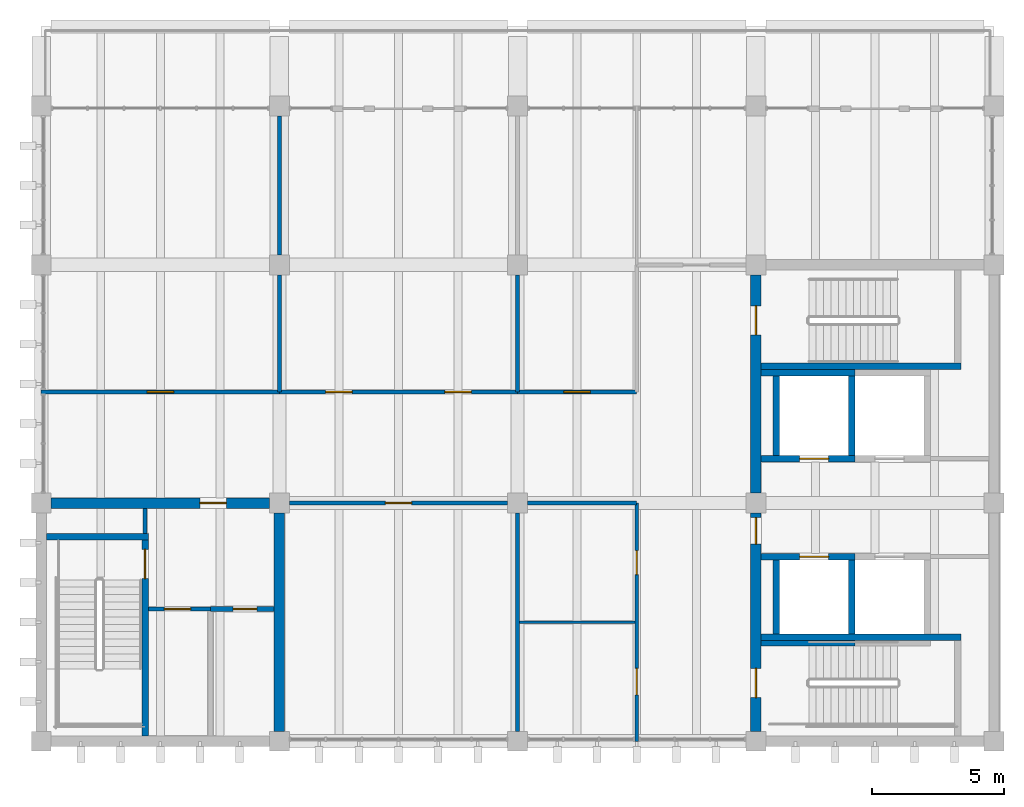
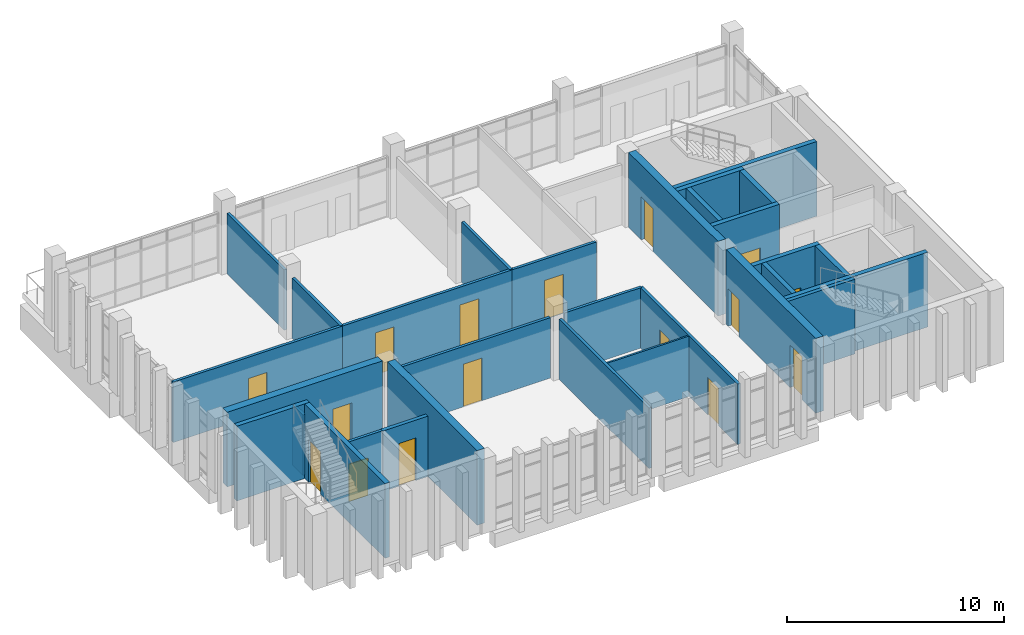
# One storey, part 9 of 15: 30 walls, 16 doors, 16 openings.
"""IFC4 building model written with IfcOpenShell, lengths in metres."""

from ifc_helpers import new_model, si_unit, direction, frame, frame_2d, origin, place, context, subcontext, project, spatial, rectangle, extrude, material, layer, layer_set, type_object, element, fill, save


model = new_model("IFC4")

# Units and contexts
model_context = context("Model", 3, precision=1e-05, world=origin(), true_north=direction((0.0, 1.0)))
body_context = subcontext(model_context, "Body", "Model", "MODEL_VIEW")
ifc_project = project(units=[si_unit("LENGTHUNIT", "METRE"), si_unit("AREAUNIT", "SQUARE_METRE"), si_unit("VOLUMEUNIT", "CUBIC_METRE"), si_unit("PLANEANGLEUNIT", "RADIAN"), si_unit("MASSUNIT", "GRAM", prefix="KILO")], contexts=[model_context])

# Site, building, storey
site_placement = place(None, origin())
site = spatial("IfcSite", under=ifc_project, at=site_placement, CompositionType="ELEMENT")
building_placement = place(site_placement, origin())
building = spatial("IfcBuilding", under=site, at=building_placement, Name="Merrow Basin Faculty of Sciences", CompositionType="ELEMENT")
storey_placement = place(building_placement, frame((0.0, 0.0, 31.5)))
storey = spatial("IfcBuildingStorey", under=building, at=storey_placement, Name="L07", CompositionType="ELEMENT", Elevation=31.5)

# Wall
ifc_material_1 = material(Name="Fire-rated gypsum board")
ifc_layer_1 = layer(ifc_material_1, 0.14990234375)
ifc_layer_set_1 = layer_set([ifc_layer_1], Name="Corridor partition 150 fire-rated board on steel studs")
wall_type_1 = type_object("IfcWallType", Name="Corridor partition 150 fire-rated board on steel studs", PredefinedType="PARTITIONING", material=ifc_layer_set_1)
wall_1_placement = place(storey_placement, frame((21.925048828125, 149.85009765625, 0.0), z_axis=(0.0, 0.0, 1.0), x_axis=(0.0, 1.0, 0.0)))
element("IfcWall", 1, at=wall_1_placement, inside=storey, type_object=wall_type_1, Name="IW151 L07 003", PredefinedType="PARTITIONING", context=body_context, shape_type="SweptSolid", body=[
    extrude(rectangle(XDim=0.949951171875, YDim=0.14990234375, at=frame_2d((0.47509765625, 0.0))), origin(), (0.0, 0.0, 1.0), 3.39990234375),
])

# Wall, openings, doors
wall_2_placement = place(storey_placement, frame((40.5, 142.0, 0.0), z_axis=(0.0, 0.0, 1.0), x_axis=(0.0, 1.0, 0.0)))
wall_2 = element("IfcWall", 2, at=wall_2_placement, inside=storey, type_object=wall_type_1, Name="IW151 L07 004", PredefinedType="PARTITIONING", context=body_context, shape_type="SweptSolid", body=[
    extrude(rectangle(XDim=9.0, YDim=0.14990234375, at=frame_2d((4.5, 0.0))), origin(), (0.0, 0.0, 1.0), 3.39990234375),
])
opening_1_placement = place(wall_2_placement, frame((1.75, 0.0, 0.0)))
opening_1 = element("IfcOpeningElement", 3, at=opening_1_placement, cuts=wall_2, Name="Opening D07T008", PredefinedType="OPENING", context=body_context, shape_type="SweptSolid", body=[
    extrude(rectangle(XDim=1.0, YDim=2.10009765625, at=frame_2d((0.5, 1.050048828125))), frame((0.0, 0.0849609375, 0.0), z_axis=(0.0, -1.0, 0.0), x_axis=(1.0, 0.0, 0.0)), (0.0, 0.0, 1.0), 0.169921875),
])
opening_2_placement = place(wall_2_placement, frame((6.300048828125, 0.0, 0.0)))
opening_2 = element("IfcOpeningElement", 4, at=opening_2_placement, cuts=wall_2, Name="Opening D07T009", PredefinedType="OPENING", context=body_context, shape_type="SweptSolid", body=[
    extrude(rectangle(XDim=0.89990234375, YDim=2.10009765625, at=frame_2d((0.449951171875, 1.050048828125))), frame((0.0, 0.0849609375, 0.0), z_axis=(0.0, -1.0, 0.0), x_axis=(1.0, 0.0, 0.0)), (0.0, 0.0, 1.0), 0.169921875),
])
ifc_material_2 = material(Name="Timber door leaf", Category="wood")
door_type_1 = type_object("IfcDoorType", Name="Accessible door 1000 x 2100", OperationType="NOTDEFINED", PredefinedType="DOOR", material=ifc_material_2)
door_1_placement = place(opening_1_placement, origin())
door_1 = element("IfcDoor", 5, at=door_1_placement, inside=storey, type_object=door_type_1, Name="Door D07T008", OperationType="SINGLE_SWING_LEFT", OverallHeight=2.10009765625, OverallWidth=1.0, PredefinedType="DOOR", context=body_context, shape_type="SweptSolid", body=[
    extrude(rectangle(XDim=1.0, YDim=2.10009765625, at=frame_2d((0.5, 1.050048828125))), frame((0.0, 0.02490234375, 0.0), z_axis=(0.0, -1.0, 0.0), x_axis=(1.0, 0.0, 0.0)), (0.0, 0.0, 1.0), 0.050048828125),
])
fill(opening_1, door_1)
ifc_material_3 = material(Name="Timber door leaf", Category="wood")
door_type_2 = type_object("IfcDoorType", Name="Single swing door 900 x 2100", OperationType="NOTDEFINED", PredefinedType="DOOR", material=ifc_material_3)
door_2_placement = place(opening_2_placement, origin())
door_2 = element("IfcDoor", 6, at=door_2_placement, inside=storey, type_object=door_type_2, Name="Door D07T009", OperationType="SINGLE_SWING_LEFT", OverallHeight=2.10009765625, OverallWidth=0.89990234375, PredefinedType="DOOR", context=body_context, shape_type="SweptSolid", body=[
    extrude(rectangle(XDim=0.89990234375, YDim=2.10009765625, at=frame_2d((0.449951171875, 1.050048828125))), frame((0.0, 0.02490234375, 0.0), z_axis=(0.0, -1.0, 0.0), x_axis=(1.0, 0.0, 0.0)), (0.0, 0.0, 1.0), 0.050048828125),
])
fill(opening_2, door_2)

# Wall, opening, door
wall_3_placement = place(storey_placement, frame((22.050048828125, 147.0, 0.0), z_axis=(0.0, 0.0, 1.0), x_axis=(1.0, 0.0, 0.0)))
wall_3 = element("IfcWall", 7, at=wall_3_placement, inside=storey, type_object=wall_type_1, Name="IW151 L07 006", PredefinedType="PARTITIONING", context=body_context, shape_type="SweptSolid", body=[
    extrude(rectangle(XDim=2.349853515625, YDim=0.14990234375, at=frame_2d((1.1748046875, 0.0))), origin(), (0.0, 0.0, 1.0), 3.39990234375),
])
opening_3_placement = place(wall_3_placement, frame((0.60009765625, 0.0, 0.0)))
opening_3 = element("IfcOpeningElement", 8, at=opening_3_placement, cuts=wall_3, Name="Opening D07T006", PredefinedType="OPENING", context=body_context, shape_type="SweptSolid", body=[
    extrude(rectangle(XDim=1.0, YDim=2.10009765625, at=frame_2d((0.5, 1.050048828125))), frame((0.0, 0.0849609375, 0.0), z_axis=(0.0, -1.0, 0.0), x_axis=(1.0, 0.0, 0.0)), (0.0, 0.0, 1.0), 0.169921875),
])
door_3_placement = place(opening_3_placement, origin())
door_3 = element("IfcDoor", 9, at=door_3_placement, inside=storey, type_object=door_type_1, Name="Door D07T006", OperationType="SINGLE_SWING_LEFT", OverallHeight=2.10009765625, OverallWidth=1.0, PredefinedType="DOOR", context=body_context, shape_type="SweptSolid", body=[
    extrude(rectangle(XDim=1.0, YDim=2.10009765625, at=frame_2d((0.5, 1.050048828125))), frame((0.0, 0.02490234375, 0.0), z_axis=(0.0, -1.0, 0.0), x_axis=(1.0, 0.0, 0.0)), (0.0, 0.0, 1.0), 0.050048828125),
])
fill(opening_3, door_3)

# Wall
wall_4_placement = place(storey_placement, frame((36.375, 151.0, 0.0), z_axis=(0.0, 0.0, 1.0), x_axis=(1.0, 0.0, 0.0)))
element("IfcWall", 10, at=wall_4_placement, inside=storey, type_object=wall_type_1, Name="IW151 L07 008", PredefinedType="PARTITIONING", context=body_context, shape_type="SweptSolid", body=[
    extrude(rectangle(XDim=4.125, YDim=0.14990234375, at=frame_2d((2.0625, 0.0))), origin(), (0.0, 0.0, 1.0), 3.39990234375),
])

# Wall, opening, door
wall_5_placement = place(storey_placement, frame((18.0, 155.199951171875, 0.0), z_axis=(0.0, 0.0, 1.0), x_axis=(1.0, 0.0, 0.0)))
wall_5 = element("IfcWall", 11, at=wall_5_placement, inside=storey, type_object=wall_type_1, Name="IW151 L07 010", PredefinedType="PARTITIONING", context=body_context, shape_type="SweptSolid", body=[
    extrude(rectangle(XDim=9.0, YDim=0.14990234375, at=frame_2d((4.5, 0.0))), origin(), (0.0, 0.0, 1.0), 3.39990234375),
])
opening_4_placement = place(wall_5_placement, frame((4.0, 0.0, 0.0)))
opening_4 = element("IfcOpeningElement", 12, at=opening_4_placement, cuts=wall_5, Name="Opening D07T010", PredefinedType="OPENING", context=body_context, shape_type="SweptSolid", body=[
    extrude(rectangle(XDim=1.0, YDim=2.199951171875, at=frame_2d((0.5, 1.10009765625))), frame((0.0, 0.0849609375, 0.0), z_axis=(0.0, -1.0, 0.0), x_axis=(1.0, 0.0, 0.0)), (0.0, 0.0, 1.0), 0.169921875),
])
ifc_material_4 = material(Name="Timber door leaf", Category="wood")
door_type_3 = type_object("IfcDoorType", Name="Vision panel door 1000 x 2200", OperationType="NOTDEFINED", PredefinedType="DOOR", material=ifc_material_4)
door_4_placement = place(opening_4_placement, origin())
door_4 = element("IfcDoor", 13, at=door_4_placement, inside=storey, type_object=door_type_3, Name="Door D07T010", OperationType="SINGLE_SWING_LEFT", OverallHeight=2.199951171875, OverallWidth=1.0, PredefinedType="DOOR", context=body_context, shape_type="SweptSolid", body=[
    extrude(rectangle(XDim=1.0, YDim=2.199951171875, at=frame_2d((0.5, 1.10009765625))), frame((0.0, 0.02490234375, 0.0), z_axis=(0.0, -1.0, 0.0), x_axis=(1.0, 0.0, 0.0)), (0.0, 0.0, 1.0), 0.050048828125),
])
fill(opening_4, door_4)

wall_6_placement = place(storey_placement, frame((36.0, 155.199951171875, 0.0), z_axis=(0.0, 0.0, 1.0), x_axis=(1.0, 0.0, 0.0)))
wall_6 = element("IfcWall", 14, at=wall_6_placement, inside=storey, type_object=wall_type_1, Name="IW151 L07 011", PredefinedType="PARTITIONING", context=body_context, shape_type="SweptSolid", body=[
    extrude(rectangle(XDim=4.5, YDim=0.14990234375, at=frame_2d((2.25, 0.0))), origin(), (0.0, 0.0, 1.0), 3.39990234375),
])
opening_5_placement = place(wall_6_placement, frame((1.75, 0.0, 0.0)))
opening_5 = element("IfcOpeningElement", 15, at=opening_5_placement, cuts=wall_6, Name="Opening D07T013", PredefinedType="OPENING", context=body_context, shape_type="SweptSolid", body=[
    extrude(rectangle(XDim=1.0, YDim=2.199951171875, at=frame_2d((0.5, 1.10009765625))), frame((0.0, 0.0849609375, 0.0), z_axis=(0.0, -1.0, 0.0), x_axis=(1.0, 0.0, 0.0)), (0.0, 0.0, 1.0), 0.169921875),
])
door_5_placement = place(opening_5_placement, origin())
door_5 = element("IfcDoor", 16, at=door_5_placement, inside=storey, type_object=door_type_3, Name="Door D07T013", OperationType="SINGLE_SWING_LEFT", OverallHeight=2.199951171875, OverallWidth=1.0, PredefinedType="DOOR", context=body_context, shape_type="SweptSolid", body=[
    extrude(rectangle(XDim=1.0, YDim=2.199951171875, at=frame_2d((0.5, 1.10009765625))), frame((0.0, 0.02490234375, 0.0), z_axis=(0.0, -1.0, 0.0), x_axis=(1.0, 0.0, 0.0)), (0.0, 0.0, 1.0), 0.050048828125),
])
fill(opening_5, door_5)

# Walls
ifc_material_5 = material(Name="Fire-rated gypsum board")
ifc_layer_2 = layer(ifc_material_5, 0.14990234375)
ifc_layer_set_2 = layer_set([ifc_layer_2], Name="Laboratory partition 150 fire-rated board on steel studs")
wall_type_2 = type_object("IfcWallType", Name="Laboratory partition 150 fire-rated board on steel studs", PredefinedType="PARTITIONING", material=ifc_layer_set_2)
wall_7_placement = place(storey_placement, frame((27.0, 160.375, 0.0), z_axis=(0.0, 0.0, 1.0), x_axis=(0.0, 1.0, 0.0)))
element("IfcWall", 17, at=wall_7_placement, inside=storey, type_object=wall_type_2, Name="IW150 L07 013", PredefinedType="PARTITIONING", context=body_context, shape_type="SweptSolid", body=[
    extrude(rectangle(XDim=5.25, YDim=0.14990234375, at=frame_2d((2.625, 0.0))), origin(), (0.0, 0.0, 1.0), 3.39990234375),
])
wall_8_placement = place(storey_placement, frame((27.0, 155.199951171875, 0.0), z_axis=(0.0, 0.0, 1.0), x_axis=(0.0, 1.0, 0.0)))
element("IfcWall", 18, at=wall_8_placement, inside=storey, type_object=wall_type_2, Name="IW150 L07 014", PredefinedType="PARTITIONING", context=body_context, shape_type="SweptSolid", body=[
    extrude(rectangle(XDim=4.425048828125, YDim=0.14990234375, at=frame_2d((2.21240234375, 0.0))), origin(), (0.0, 0.0, 1.0), 3.39990234375),
])
wall_9_placement = place(storey_placement, frame((36.0, 142.375, 0.0), z_axis=(0.0, 0.0, 1.0), x_axis=(0.0, 1.0, 0.0)))
element("IfcWall", 19, at=wall_9_placement, inside=storey, type_object=wall_type_2, Name="IW150 L07 015", PredefinedType="PARTITIONING", context=body_context, shape_type="SweptSolid", body=[
    extrude(rectangle(XDim=8.25, YDim=0.14990234375, at=frame_2d((4.125, 0.0))), origin(), (0.0, 0.0, 1.0), 3.39990234375),
])
wall_10_placement = place(storey_placement, frame((36.0, 155.199951171875, 0.0), z_axis=(0.0, 0.0, 1.0), x_axis=(0.0, 1.0, 0.0)))
element("IfcWall", 20, at=wall_10_placement, inside=storey, type_object=wall_type_2, Name="IW150 L07 017", PredefinedType="PARTITIONING", context=body_context, shape_type="SweptSolid", body=[
    extrude(rectangle(XDim=4.425048828125, YDim=0.14990234375, at=frame_2d((2.21240234375, 0.0))), origin(), (0.0, 0.0, 1.0), 3.39990234375),
])

# Wall, opening, door
wall_11_placement = place(storey_placement, frame((27.375, 151.0, 0.0), z_axis=(0.0, 0.0, 1.0), x_axis=(1.0, 0.0, 0.0)))
wall_11 = element("IfcWall", 21, at=wall_11_placement, inside=storey, type_object=wall_type_2, Name="IW150 L07 018", PredefinedType="PARTITIONING", context=body_context, shape_type="SweptSolid", body=[
    extrude(rectangle(XDim=8.25, YDim=0.14990234375, at=frame_2d((4.125, 0.0))), origin(), (0.0, 0.0, 1.0), 3.39990234375),
])
opening_6_placement = place(wall_11_placement, frame((3.625, 0.0, 0.0)))
opening_6 = element("IfcOpeningElement", 22, at=opening_6_placement, cuts=wall_11, Name="Opening D07T014", PredefinedType="OPENING", context=body_context, shape_type="SweptSolid", body=[
    extrude(rectangle(XDim=1.0, YDim=2.39990234375, at=frame_2d((0.5, 1.199951171875))), frame((0.0, 0.0849609375, 0.0), z_axis=(0.0, -1.0, 0.0), x_axis=(1.0, 0.0, 0.0)), (0.0, 0.0, 1.0), 0.169921875),
])
ifc_material_6 = material(Name="Fire-rated steel door", Category="steel")
door_type_4 = type_object("IfcDoorType", Name="Fire door FD60 1000 x 2400", OperationType="NOTDEFINED", PredefinedType="DOOR", material=ifc_material_6)
door_6_placement = place(opening_6_placement, origin())
door_6 = element("IfcDoor", 23, at=door_6_placement, inside=storey, type_object=door_type_4, Name="Door D07T014", OperationType="SINGLE_SWING_LEFT", OverallHeight=2.39990234375, OverallWidth=1.0, PredefinedType="DOOR", context=body_context, shape_type="SweptSolid", body=[
    extrude(rectangle(XDim=1.0, YDim=2.39990234375, at=frame_2d((0.5, 1.199951171875))), frame((0.0, 0.02490234375, 0.0), z_axis=(0.0, -1.0, 0.0), x_axis=(1.0, 0.0, 0.0)), (0.0, 0.0, 1.0), 0.050048828125),
])
fill(opening_6, door_6)

# Wall, openings, doors
wall_12_placement = place(storey_placement, frame((27.0, 155.199951171875, 0.0), z_axis=(0.0, 0.0, 1.0), x_axis=(1.0, 0.0, 0.0)))
wall_12 = element("IfcWall", 24, at=wall_12_placement, inside=storey, type_object=wall_type_2, Name="IW150 L07 019", PredefinedType="PARTITIONING", context=body_context, shape_type="SweptSolid", body=[
    extrude(rectangle(XDim=9.0, YDim=0.14990234375, at=frame_2d((4.5, 0.0))), origin(), (0.0, 0.0, 1.0), 3.39990234375),
])
opening_7_placement = place(wall_12_placement, frame((1.75, 0.0, 0.0)))
opening_7 = element("IfcOpeningElement", 25, at=opening_7_placement, cuts=wall_12, Name="Opening D07T011", PredefinedType="OPENING", context=body_context, shape_type="SweptSolid", body=[
    extrude(rectangle(XDim=1.0, YDim=2.39990234375, at=frame_2d((0.5, 1.199951171875))), frame((0.0, 0.0849609375, 0.0), z_axis=(0.0, -1.0, 0.0), x_axis=(1.0, 0.0, 0.0)), (0.0, 0.0, 1.0), 0.169921875),
])
opening_8_placement = place(wall_12_placement, frame((6.25, 0.0, 0.0)))
opening_8 = element("IfcOpeningElement", 26, at=opening_8_placement, cuts=wall_12, Name="Opening D07T012", PredefinedType="OPENING", context=body_context, shape_type="SweptSolid", body=[
    extrude(rectangle(XDim=1.0, YDim=2.39990234375, at=frame_2d((0.5, 1.199951171875))), frame((0.0, 0.0849609375, 0.0), z_axis=(0.0, -1.0, 0.0), x_axis=(1.0, 0.0, 0.0)), (0.0, 0.0, 1.0), 0.169921875),
])
door_7_placement = place(opening_7_placement, origin())
door_7 = element("IfcDoor", 27, at=door_7_placement, inside=storey, type_object=door_type_4, Name="Door D07T011", OperationType="SINGLE_SWING_LEFT", OverallHeight=2.39990234375, OverallWidth=1.0, PredefinedType="DOOR", context=body_context, shape_type="SweptSolid", body=[
    extrude(rectangle(XDim=1.0, YDim=2.39990234375, at=frame_2d((0.5, 1.199951171875))), frame((0.0, 0.02490234375, 0.0), z_axis=(0.0, -1.0, 0.0), x_axis=(1.0, 0.0, 0.0)), (0.0, 0.0, 1.0), 0.050048828125),
])
fill(opening_7, door_7)
door_8_placement = place(opening_8_placement, origin())
door_8 = element("IfcDoor", 28, at=door_8_placement, inside=storey, type_object=door_type_4, Name="Door D07T012", OperationType="SINGLE_SWING_RIGHT", OverallHeight=2.39990234375, OverallWidth=1.0, PredefinedType="DOOR", context=body_context, shape_type="SweptSolid", body=[
    extrude(rectangle(XDim=1.0, YDim=2.39990234375, at=frame_2d((0.5, 1.199951171875))), frame((0.0, 0.02490234375, 0.0), z_axis=(0.0, -1.0, 0.0), x_axis=(1.0, 0.0, 0.0)), (0.0, 0.0, 1.0), 0.050048828125),
])
fill(opening_8, door_8)

# Wall
ifc_material_7 = material(Name="Moisture-resistant gypsum board")
ifc_layer_3 = layer(ifc_material_7, 0.10009765625)
ifc_layer_set_3 = layer_set([ifc_layer_3], Name="Partition 100 moisture-resistant board on steel studs")
wall_type_3 = type_object("IfcWallType", Name="Partition 100 moisture-resistant board on steel studs", PredefinedType="PARTITIONING", material=ifc_layer_set_3)
wall_13_placement = place(storey_placement, frame((36.074951171875, 146.5, 0.0), z_axis=(0.0, 0.0, 1.0), x_axis=(1.0, 0.0, 0.0)))
element("IfcWall", 29, at=wall_13_placement, inside=storey, type_object=wall_type_3, Name="IW101 L07 020", PredefinedType="PARTITIONING", context=body_context, shape_type="SweptSolid", body=[
    extrude(rectangle(XDim=4.35009765625, YDim=0.10009765625, at=frame_2d((2.175048828125, 0.0))), origin(), (0.0, 0.0, 1.0), 3.39990234375),
])

# Wall, opening, door
ifc_material_8 = material(Name="Fire-rated gypsum board")
ifc_layer_4 = layer(ifc_material_8, 0.199951171875)
ifc_layer_set_4 = layer_set([ifc_layer_4], Name="Riser lining 200 fire-rated board on steel studs")
wall_type_4 = type_object("IfcWallType", Name="Riser lining 200 fire-rated board on steel studs", PredefinedType="PARTITIONING", material=ifc_layer_set_4)
wall_14_placement = place(storey_placement, frame((24.39990234375, 147.0, 0.0), z_axis=(0.0, 0.0, 1.0), x_axis=(1.0, 0.0, 0.0)))
wall_14 = element("IfcWall", 30, at=wall_14_placement, inside=storey, type_object=wall_type_4, Name="IW200 L07 002", PredefinedType="PARTITIONING", context=body_context, shape_type="SweptSolid", body=[
    extrude(rectangle(XDim=2.400146484375, YDim=0.199951171875, at=frame_2d((1.2001953125, 0.0))), origin(), (0.0, 0.0, 1.0), 3.39990234375),
])
opening_9_placement = place(wall_14_placement, frame((0.85009765625, 0.0, 0.0)))
opening_9 = element("IfcOpeningElement", 31, at=opening_9_placement, cuts=wall_14, Name="Opening D07T007", PredefinedType="OPENING", context=body_context, shape_type="SweptSolid", body=[
    extrude(rectangle(XDim=0.89990234375, YDim=2.39990234375, at=frame_2d((0.449951171875, 1.199951171875))), frame((0.0, 0.10986328125, 0.0), z_axis=(0.0, -1.0, 0.0), x_axis=(1.0, 0.0, 0.0)), (0.0, 0.0, 1.0), 0.219970703125),
])
ifc_material_9 = material(Name="Fire-rated steel door", Category="steel")
door_type_5 = type_object("IfcDoorType", Name="Fire door FD60 900 x 2400", OperationType="NOTDEFINED", PredefinedType="DOOR", material=ifc_material_9)
door_9_placement = place(opening_9_placement, origin())
door_9 = element("IfcDoor", 32, at=door_9_placement, inside=storey, type_object=door_type_5, Name="Door D07T007", OperationType="SINGLE_SWING_RIGHT", OverallHeight=2.39990234375, OverallWidth=0.89990234375, PredefinedType="DOOR", context=body_context, shape_type="SweptSolid", body=[
    extrude(rectangle(XDim=0.89990234375, YDim=2.39990234375, at=frame_2d((0.449951171875, 1.199951171875))), frame((0.0, 0.02490234375, 0.0), z_axis=(0.0, -1.0, 0.0), x_axis=(1.0, 0.0, 0.0)), (0.0, 0.0, 1.0), 0.050048828125),
])
fill(opening_9, door_9)

# Walls
ifc_material_10 = material(Name="Concrete C40/50", Category="concrete")
ifc_layer_5 = layer(ifc_material_10, 0.199951171875)
ifc_layer_set_5 = layer_set([ifc_layer_5], Name="Shear wall 200 Concrete C40/50")
wall_type_5 = type_object("IfcWallType", Name="Shear wall 200 Concrete C40/50", PredefinedType="SHEAR", material=ifc_layer_set_5)
wall_15_placement = place(storey_placement, frame((45.199951171875, 145.699951171875, 0.0), z_axis=(0.0, 0.0, 1.0), x_axis=(1.0, 0.0, 0.0)))
element("IfcWall", 33, at=wall_15_placement, inside=storey, type_object=wall_type_5, Name="SW6 L07 018", PredefinedType="SHEAR", context=body_context, shape_type="SweptSolid", body=[
    extrude(rectangle(XDim=3.550048828125, YDim=0.199951171875, at=frame_2d((1.77490234375, 0.0))), origin(), (0.0, 0.0, 1.0), 4.199951171875),
])
ifc_material_11 = material(Name="Concrete C40/50", Category="concrete")
ifc_layer_6 = layer(ifc_material_11, 0.25)
ifc_layer_set_6 = layer_set([ifc_layer_6], Name="Shear wall 250 Concrete C40/50")
wall_type_6 = type_object("IfcWallType", Name="Shear wall 250 Concrete C40/50", PredefinedType="SHEAR", material=ifc_layer_set_6)
for number, where, z_axis, x_axis, name in (
    (34, (45.199951171875, 156.175048828125, 0.0), (0.0, 0.0, 1.0), (1.0, 0.0, 0.0), "SW2 L07 007"),
    (35, (45.199951171875, 145.925048828125, 0.0), (0.0, 0.0, 1.0), (1.0, 0.0, 0.0), "SW2 L07 009"),
):
    element("IfcWall", number, at=place(storey_placement, frame(where, z_axis=z_axis, x_axis=x_axis)), inside=storey, type_object=wall_type_6, Name=name, PredefinedType="SHEAR", context=body_context, shape_type="SweptSolid", body=[
        extrude(rectangle(XDim=7.550048828125, YDim=0.25, at=frame_2d((3.77490234375, 0.0))), origin(), (0.0, 0.0, 1.0), 4.199951171875),
    ])

# Wall, opening, door
wall_16_placement = place(storey_placement, frame((45.199951171875, 152.675048828125, 0.0), z_axis=(0.0, 0.0, 1.0), x_axis=(1.0, 0.0, 0.0)))
wall_16 = element("IfcWall", 36, at=wall_16_placement, inside=storey, type_object=wall_type_6, Name="SW2 L07 011", PredefinedType="SHEAR", context=body_context, shape_type="SweptSolid", body=[
    extrude(rectangle(XDim=3.550048828125, YDim=0.25, at=frame_2d((1.77490234375, 0.0))), origin(), (0.0, 0.0, 1.0), 4.199951171875),
])
opening_10_placement = place(wall_16_placement, frame((1.449951171875, 0.0, 0.0)))
opening_10 = element("IfcOpeningElement", 37, at=opening_10_placement, cuts=wall_16, Name="Opening LD07T01", PredefinedType="OPENING", context=body_context, shape_type="SweptSolid", body=[
    extrude(rectangle(XDim=1.10009765625, YDim=2.10009765625, at=frame_2d((0.550048828125, 1.050048828125))), frame((0.0, 0.135009765625, 0.0), z_axis=(0.0, -1.0, 0.0), x_axis=(1.0, 0.0, 0.0)), (0.0, 0.0, 1.0), 0.27001953125),
])
ifc_material_12 = material(Name="Stainless steel sliding door", Category="steel")
door_type_6 = type_object("IfcDoorType", Name="Lift landing door 1100 x 2100 sliding", OperationType="NOTDEFINED", PredefinedType="DOOR", material=ifc_material_12)
door_10_placement = place(opening_10_placement, origin())
door_10 = element("IfcDoor", 38, at=door_10_placement, inside=storey, type_object=door_type_6, Name="Landing door LF11 L07", OperationType="SLIDING_TO_LEFT", OverallHeight=2.10009765625, OverallWidth=1.10009765625, PredefinedType="DOOR", context=body_context, shape_type="SweptSolid", body=[
    extrude(rectangle(XDim=1.10009765625, YDim=2.10009765625, at=frame_2d((0.550048828125, 1.050048828125))), frame((0.0, 0.02490234375, 0.0), z_axis=(0.0, -1.0, 0.0), x_axis=(1.0, 0.0, 0.0)), (0.0, 0.0, 1.0), 0.050048828125),
])
fill(opening_10, door_10)

# Walls
wall_17_placement = place(storey_placement, frame((45.199951171875, 155.925048828125, 0.0), z_axis=(0.0, 0.0, 1.0), x_axis=(1.0, 0.0, 0.0)))
element("IfcWall", 39, at=wall_17_placement, inside=storey, type_object=wall_type_6, Name="SW2 L07 012", PredefinedType="SHEAR", context=body_context, shape_type="SweptSolid", body=[
    extrude(rectangle(XDim=3.550048828125, YDim=0.25, at=frame_2d((1.77490234375, 0.0))), origin(), (0.0, 0.0, 1.0), 4.199951171875),
])
for number, where, z_axis, x_axis, name in (
    (40, (45.77490234375, 152.800048828125, 0.0), (0.0, 0.0, 1.0), (0.0, 1.0, 0.0), "SW2 L07 013"),
    (41, (48.625, 152.800048828125, 0.0), (0.0, 0.0, 1.0), (0.0, 1.0, 0.0), "SW2 L07 014"),
):
    element("IfcWall", number, at=place(storey_placement, frame(where, z_axis=z_axis, x_axis=x_axis)), inside=storey, type_object=wall_type_6, Name=name, PredefinedType="SHEAR", context=body_context, shape_type="SweptSolid", body=[
        extrude(rectangle(XDim=3.0, YDim=0.25, at=frame_2d((1.5, 0.0))), origin(), (0.0, 0.0, 1.0), 4.199951171875),
    ])

# Wall, opening, door
wall_18_placement = place(storey_placement, frame((45.199951171875, 148.97509765625, 0.0), z_axis=(0.0, 0.0, 1.0), x_axis=(1.0, 0.0, 0.0)))
wall_18 = element("IfcWall", 42, at=wall_18_placement, inside=storey, type_object=wall_type_6, Name="SW2 L07 019", PredefinedType="SHEAR", context=body_context, shape_type="SweptSolid", body=[
    extrude(rectangle(XDim=3.550048828125, YDim=0.25, at=frame_2d((1.77490234375, 0.0))), origin(), (0.0, 0.0, 1.0), 4.199951171875),
])
opening_11_placement = place(wall_18_placement, frame((1.449951171875, 0.0, 0.0)))
opening_11 = element("IfcOpeningElement", 43, at=opening_11_placement, cuts=wall_18, Name="Opening LD07T03", PredefinedType="OPENING", context=body_context, shape_type="SweptSolid", body=[
    extrude(rectangle(XDim=1.10009765625, YDim=2.10009765625, at=frame_2d((0.550048828125, 1.050048828125))), frame((0.0, 0.135009765625, 0.0), z_axis=(0.0, -1.0, 0.0), x_axis=(1.0, 0.0, 0.0)), (0.0, 0.0, 1.0), 0.27001953125),
])
door_11_placement = place(opening_11_placement, origin())
door_11 = element("IfcDoor", 44, at=door_11_placement, inside=storey, type_object=door_type_6, Name="Landing door LF13 L07", OperationType="SLIDING_TO_LEFT", OverallHeight=2.10009765625, OverallWidth=1.10009765625, PredefinedType="DOOR", context=body_context, shape_type="SweptSolid", body=[
    extrude(rectangle(XDim=1.10009765625, YDim=2.10009765625, at=frame_2d((0.550048828125, 1.050048828125))), frame((0.0, 0.02490234375, 0.0), z_axis=(0.0, -1.0, 0.0), x_axis=(1.0, 0.0, 0.0)), (0.0, 0.0, 1.0), 0.050048828125),
])
fill(opening_11, door_11)

# Walls
for number, where, z_axis, x_axis, name in (
    (45, (45.77490234375, 146.050048828125, 0.0), (0.0, 0.0, 1.0), (0.0, 1.0, 0.0), "SW2 L07 020"),
    (46, (48.625, 146.050048828125, 0.0), (0.0, 0.0, 1.0), (0.0, 1.0, 0.0), "SW2 L07 021"),
):
    element("IfcWall", number, at=place(storey_placement, frame(where, z_axis=z_axis, x_axis=x_axis)), inside=storey, type_object=wall_type_6, Name=name, PredefinedType="SHEAR", context=body_context, shape_type="SweptSolid", body=[
        extrude(rectangle(XDim=2.800048828125, YDim=0.25, at=frame_2d((1.39990234375, 0.0))), origin(), (0.0, 0.0, 1.0), 4.199951171875),
    ])
wall_19_placement = place(storey_placement, frame((18.199951171875, 149.72509765625, 0.0), z_axis=(0.0, 0.0, 1.0), x_axis=(1.0, 0.0, 0.0)))
element("IfcWall", 47, at=wall_19_placement, inside=storey, type_object=wall_type_6, Name="SW2 L07 029", PredefinedType="SHEAR", context=body_context, shape_type="SweptSolid", body=[
    extrude(rectangle(XDim=3.85009765625, YDim=0.25, at=frame_2d((1.925048828125, 0.0))), origin(), (0.0, 0.0, 1.0), 4.199951171875),
])

# Wall, opening, door
wall_20_placement = place(storey_placement, frame((21.925048828125, 142.199951171875, 0.0), z_axis=(0.0, 0.0, 1.0), x_axis=(0.0, 1.0, 0.0)))
wall_20 = element("IfcWall", 48, at=wall_20_placement, inside=storey, type_object=wall_type_6, Name="SW2 L07 030", PredefinedType="SHEAR", context=body_context, shape_type="SweptSolid", body=[
    extrude(rectangle(XDim=7.400146484375, YDim=0.25, at=frame_2d((3.7001953125, 0.0))), origin(), (0.0, 0.0, 1.0), 4.199951171875),
])
opening_12_placement = place(wall_20_placement, frame((5.949951171875, 0.0, 0.0)))
opening_12 = element("IfcOpeningElement", 49, at=opening_12_placement, cuts=wall_20, Name="Opening D07T004", PredefinedType="OPENING", context=body_context, shape_type="SweptSolid", body=[
    extrude(rectangle(XDim=1.10009765625, YDim=2.39990234375, at=frame_2d((0.550048828125, 1.199951171875))), frame((0.0, 0.135009765625, 0.0), z_axis=(0.0, -1.0, 0.0), x_axis=(1.0, 0.0, 0.0)), (0.0, 0.0, 1.0), 0.27001953125),
])
ifc_material_13 = material(Name="Fire-rated steel door", Category="steel")
door_type_7 = type_object("IfcDoorType", Name="Fire door FD90 1100 x 2400", OperationType="NOTDEFINED", PredefinedType="DOOR", material=ifc_material_13)
door_12_placement = place(opening_12_placement, origin())
door_12 = element("IfcDoor", 50, at=door_12_placement, inside=storey, type_object=door_type_7, Name="Door D07T004", OperationType="SINGLE_SWING_RIGHT", OverallHeight=2.39990234375, OverallWidth=1.10009765625, PredefinedType="DOOR", context=body_context, shape_type="SweptSolid", body=[
    extrude(rectangle(XDim=1.10009765625, YDim=2.39990234375, at=frame_2d((0.550048828125, 1.199951171875))), frame((0.0, 0.02490234375, 0.0), z_axis=(0.0, -1.0, 0.0), x_axis=(1.0, 0.0, 0.0)), (0.0, 0.0, 1.0), 0.050048828125),
])
fill(opening_12, door_12)

# Wall, openings, doors
ifc_material_14 = material(Name="Concrete C40/50", Category="concrete")
ifc_layer_7 = layer(ifc_material_14, 0.39990234375)
ifc_layer_set_7 = layer_set([ifc_layer_7], Name="Shear wall 400 Concrete C40/50")
wall_type_7 = type_object("IfcWallType", Name="Shear wall 400 Concrete C40/50", PredefinedType="SHEAR", material=ifc_layer_set_7)
wall_21_placement = place(storey_placement, frame((45.0, 142.375, 0.0), z_axis=(0.0, 0.0, 1.0), x_axis=(0.0, 1.0, 0.0)))
wall_21 = element("IfcWall", 51, at=wall_21_placement, inside=storey, type_object=wall_type_7, Name="SW1 L07 003", PredefinedType="SHEAR", context=body_context, shape_type="SweptSolid", body=[
    extrude(rectangle(XDim=8.25, YDim=0.39990234375, at=frame_2d((4.125, 0.0))), origin(), (0.0, 0.0, 1.0), 4.199951171875),
])
opening_13_placement = place(wall_21_placement, frame((1.27490234375, 0.0, 0.0)))
opening_13 = element("IfcOpeningElement", 52, at=opening_13_placement, cuts=wall_21, Name="Opening D07T001", PredefinedType="OPENING", context=body_context, shape_type="SweptSolid", body=[
    extrude(rectangle(XDim=1.10009765625, YDim=2.39990234375, at=frame_2d((0.550048828125, 1.199951171875))), frame((0.0, 0.2099609375, 0.0), z_axis=(0.0, -1.0, 0.0), x_axis=(1.0, 0.0, 0.0)), (0.0, 0.0, 1.0), 0.419921875),
])
opening_14_placement = place(wall_21_placement, frame((7.074951171875, 0.0, 0.0)))
opening_14 = element("IfcOpeningElement", 53, at=opening_14_placement, cuts=wall_21, Name="Opening D07T003", PredefinedType="OPENING", context=body_context, shape_type="SweptSolid", body=[
    extrude(rectangle(XDim=1.0, YDim=2.10009765625, at=frame_2d((0.5, 1.050048828125))), frame((0.0, 0.2099609375, 0.0), z_axis=(0.0, -1.0, 0.0), x_axis=(1.0, 0.0, 0.0)), (0.0, 0.0, 1.0), 0.419921875),
])
door_13_placement = place(opening_13_placement, origin())
door_13 = element("IfcDoor", 54, at=door_13_placement, inside=storey, type_object=door_type_7, Name="Door D07T001", OperationType="SINGLE_SWING_LEFT", OverallHeight=2.39990234375, OverallWidth=1.10009765625, PredefinedType="DOOR", context=body_context, shape_type="SweptSolid", body=[
    extrude(rectangle(XDim=1.10009765625, YDim=2.39990234375, at=frame_2d((0.550048828125, 1.199951171875))), frame((0.0, 0.02490234375, 0.0), z_axis=(0.0, -1.0, 0.0), x_axis=(1.0, 0.0, 0.0)), (0.0, 0.0, 1.0), 0.050048828125),
])
fill(opening_13, door_13)
ifc_material_15 = material(Name="Timber door leaf", Category="wood")
door_type_8 = type_object("IfcDoorType", Name="Single swing door 1000 x 2100", OperationType="NOTDEFINED", PredefinedType="DOOR", material=ifc_material_15)
door_14_placement = place(opening_14_placement, origin())
door_14 = element("IfcDoor", 55, at=door_14_placement, inside=storey, type_object=door_type_8, Name="Door D07T003", OperationType="SINGLE_SWING_LEFT", OverallHeight=2.10009765625, OverallWidth=1.0, PredefinedType="DOOR", context=body_context, shape_type="SweptSolid", body=[
    extrude(rectangle(XDim=1.0, YDim=2.10009765625, at=frame_2d((0.5, 1.050048828125))), frame((0.0, 0.02490234375, 0.0), z_axis=(0.0, -1.0, 0.0), x_axis=(1.0, 0.0, 0.0)), (0.0, 0.0, 1.0), 0.050048828125),
])
fill(opening_14, door_14)

# Wall, opening, door
wall_22_placement = place(storey_placement, frame((45.0, 151.375, 0.0), z_axis=(0.0, 0.0, 1.0), x_axis=(0.0, 1.0, 0.0)))
wall_22 = element("IfcWall", 56, at=wall_22_placement, inside=storey, type_object=wall_type_7, Name="SW1 L07 004", PredefinedType="SHEAR", context=body_context, shape_type="SweptSolid", body=[
    extrude(rectangle(XDim=8.25, YDim=0.39990234375, at=frame_2d((4.125, 0.0))), origin(), (0.0, 0.0, 1.0), 4.199951171875),
])
opening_15_placement = place(wall_22_placement, frame((5.97509765625, 0.0, 0.0)))
opening_15 = element("IfcOpeningElement", 57, at=opening_15_placement, cuts=wall_22, Name="Opening D07T002", PredefinedType="OPENING", context=body_context, shape_type="SweptSolid", body=[
    extrude(rectangle(XDim=1.10009765625, YDim=2.39990234375, at=frame_2d((0.550048828125, 1.199951171875))), frame((0.0, 0.2099609375, 0.0), z_axis=(0.0, -1.0, 0.0), x_axis=(1.0, 0.0, 0.0)), (0.0, 0.0, 1.0), 0.419921875),
])
door_15_placement = place(opening_15_placement, origin())
door_15 = element("IfcDoor", 58, at=door_15_placement, inside=storey, type_object=door_type_7, Name="Door D07T002", OperationType="SINGLE_SWING_RIGHT", OverallHeight=2.39990234375, OverallWidth=1.10009765625, PredefinedType="DOOR", context=body_context, shape_type="SweptSolid", body=[
    extrude(rectangle(XDim=1.10009765625, YDim=2.39990234375, at=frame_2d((0.550048828125, 1.199951171875))), frame((0.0, 0.02490234375, 0.0), z_axis=(0.0, -1.0, 0.0), x_axis=(1.0, 0.0, 0.0)), (0.0, 0.0, 1.0), 0.050048828125),
])
fill(opening_15, door_15)

wall_23_placement = place(storey_placement, frame((18.375, 151.0, 0.0), z_axis=(0.0, 0.0, 1.0), x_axis=(1.0, 0.0, 0.0)))
wall_23 = element("IfcWall", 59, at=wall_23_placement, inside=storey, type_object=wall_type_7, Name="SW1 L07 026", PredefinedType="SHEAR", context=body_context, shape_type="SweptSolid", body=[
    extrude(rectangle(XDim=8.25, YDim=0.39990234375, at=frame_2d((4.125, 0.0))), origin(), (0.0, 0.0, 1.0), 4.199951171875),
])
opening_16_placement = place(wall_23_placement, frame((5.625, 0.0, 0.0)))
opening_16 = element("IfcOpeningElement", 60, at=opening_16_placement, cuts=wall_23, Name="Opening D07T005", PredefinedType="OPENING", context=body_context, shape_type="SweptSolid", body=[
    extrude(rectangle(XDim=1.0, YDim=2.39990234375, at=frame_2d((0.5, 1.199951171875))), frame((0.0, 0.2099609375, 0.0), z_axis=(0.0, -1.0, 0.0), x_axis=(1.0, 0.0, 0.0)), (0.0, 0.0, 1.0), 0.419921875),
])
door_16_placement = place(opening_16_placement, origin())
door_16 = element("IfcDoor", 61, at=door_16_placement, inside=storey, type_object=door_type_4, Name="Door D07T005", OperationType="SINGLE_SWING_RIGHT", OverallHeight=2.39990234375, OverallWidth=1.0, PredefinedType="DOOR", context=body_context, shape_type="SweptSolid", body=[
    extrude(rectangle(XDim=1.0, YDim=2.39990234375, at=frame_2d((0.5, 1.199951171875))), frame((0.0, 0.02490234375, 0.0), z_axis=(0.0, -1.0, 0.0), x_axis=(1.0, 0.0, 0.0)), (0.0, 0.0, 1.0), 0.050048828125),
])
fill(opening_16, door_16)

# Wall
wall_24_placement = place(storey_placement, frame((27.0, 142.375, 0.0), z_axis=(0.0, 0.0, 1.0), x_axis=(0.0, 1.0, 0.0)))
element("IfcWall", 62, at=wall_24_placement, inside=storey, type_object=wall_type_7, Name="SW1 L07 028", PredefinedType="SHEAR", context=body_context, shape_type="SweptSolid", body=[
    extrude(rectangle(XDim=8.25, YDim=0.39990234375, at=frame_2d((4.125, 0.0))), origin(), (0.0, 0.0, 1.0), 4.199951171875),
])

save(model, "model.ifc")
